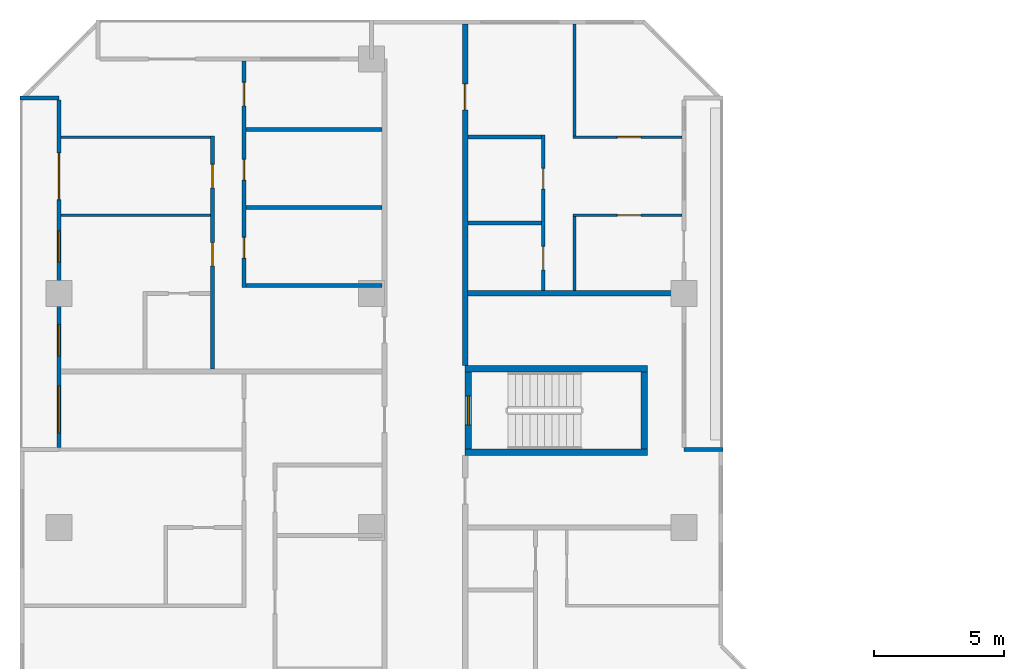
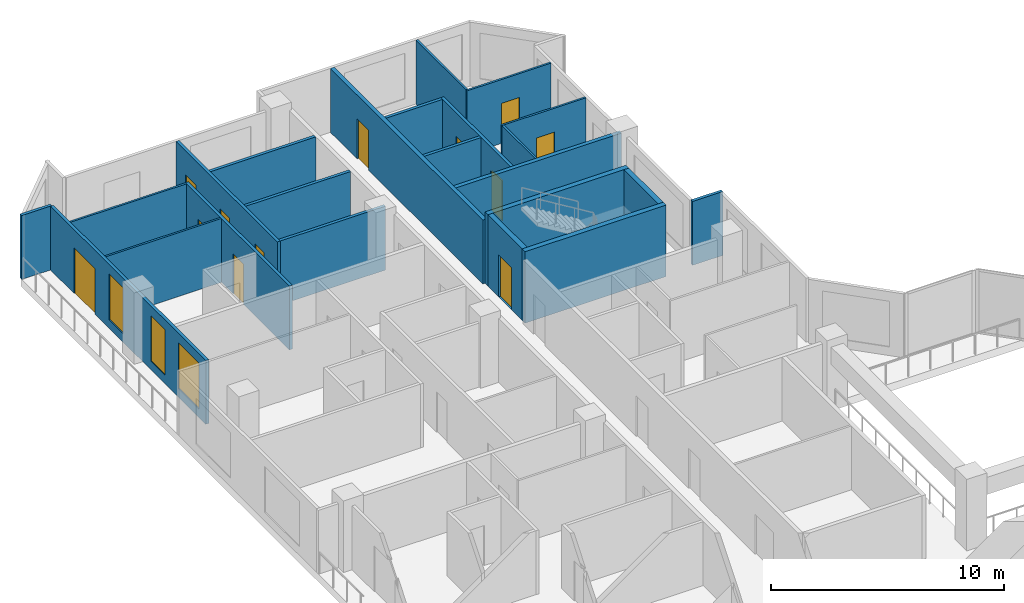
# One storey, part 10 of 15: 23 walls, 12 doors, 3 windows, 15 openings.
"""IFC4 building model written with IfcOpenShell, lengths in metres."""

from ifc_helpers import new_model, si_unit, direction, frame, frame_2d, origin, place, context, subcontext, project, spatial, rectangle, extrude, material, layer, layer_set, type_object, element, fill, save


model = new_model("IFC4")

# Units and contexts
model_context = context("Model", 3, precision=1e-05, world=origin(), true_north=direction((0.0, 1.0)))
body_context = subcontext(model_context, "Body", "Model", "MODEL_VIEW")
ifc_project = project(units=[si_unit("LENGTHUNIT", "METRE"), si_unit("AREAUNIT", "SQUARE_METRE"), si_unit("VOLUMEUNIT", "CUBIC_METRE"), si_unit("PLANEANGLEUNIT", "RADIAN"), si_unit("MASSUNIT", "GRAM", prefix="KILO")], contexts=[model_context])

# Site, building, storey
site_placement = place(None, origin())
site = spatial("IfcSite", under=ifc_project, at=site_placement, CompositionType="ELEMENT")
building_placement = place(site_placement, origin())
building = spatial("IfcBuilding", under=site, at=building_placement, Name="Chenar Terraces", CompositionType="ELEMENT")
storey_placement = place(building_placement, frame((0.0, 0.0, 95.64990234375)))
storey = spatial("IfcBuildingStorey", under=building, at=storey_placement, Name="L21", CompositionType="ELEMENT", Elevation=95.64990234375)

# Walls
ifc_material_1 = material(Name="Concrete C70/85", Category="concrete")
ifc_layer_1 = layer(ifc_material_1, 0.25)
ifc_layer_set_1 = layer_set([ifc_layer_1], Name="Concrete C70/85")
wall_type_1 = type_object("IfcWallType", Name="Core wall 250 Concrete C70/85", PredefinedType="SHEAR", material=ifc_layer_set_1)
for number, where, z_axis, x_axis, name in (
    (1, (15.60009765625, 47.89990234375, 0.0), (0.0, 0.0, 1.0), (1.0, 0.0, 0.0), "Core wall ST4_S L21"),
    (2, (15.60009765625, 51.10009765625, 0.0), (0.0, 0.0, 1.0), (1.0, 0.0, 0.0), "Core wall ST4_N L21"),
):
    element("IfcWall", number, at=place(storey_placement, frame(where, z_axis=z_axis, x_axis=x_axis)), inside=storey, type_object=wall_type_1, Name=name, PredefinedType="SHEAR", context=body_context, shape_type="SweptSolid", body=[
        extrude(rectangle(XDim=7.0, YDim=0.25, at=frame_2d((3.5, 0.0))), origin(), (0.0, 0.0, 1.0), 3.75),
    ])

# Wall, opening, door
wall_1_placement = place(storey_placement, frame((15.72509765625, 48.02490234375, 0.0), z_axis=(0.0, 0.0, 1.0), x_axis=(0.0, 1.0, 0.0)))
wall_1 = element("IfcWall", 3, at=wall_1_placement, inside=storey, type_object=wall_type_1, Name="Core wall ST4_W L21", PredefinedType="SHEAR", context=body_context, shape_type="SweptSolid", body=[
    extrude(rectangle(XDim=2.9501953125, YDim=0.25, at=frame_2d((1.47509765625, 0.0))), origin(), (0.0, 0.0, 1.0), 3.75),
])
opening_1_placement = place(wall_1_placement, frame((0.925048828125, 0.0, 0.0)))
opening_1 = element("IfcOpeningElement", 4, at=opening_1_placement, cuts=wall_1, Name="Opening DL21-C9", PredefinedType="OPENING", context=body_context, shape_type="SweptSolid", body=[
    extrude(rectangle(XDim=1.10009765625, YDim=2.199951171875, at=frame_2d((0.550048828125, 1.10009765625))), frame((0.0, 0.135009765625, 0.0), z_axis=(0.0, -1.0, 0.0), x_axis=(1.0, 0.0, 0.0)), (0.0, 0.0, 1.0), 0.27001953125),
])
ifc_material_2 = material(Name="Steel-framed fire-resisting door leaf", Category="steel")
door_type_1 = type_object("IfcDoorType", Name="Stair fire door FD60 1100 x 2200", OperationType="SINGLE_SWING_LEFT", PredefinedType="DOOR", material=ifc_material_2)
door_1_placement = place(opening_1_placement, frame((1.10009765625, 0.0, 0.0), z_axis=(0.0, 0.0, 1.0), x_axis=(-1.0, 0.0, 0.0)))
door_1 = element("IfcDoor", 5, at=door_1_placement, inside=storey, type_object=door_type_1, Name="Stair door DL21-C9", OperationType="SINGLE_SWING_RIGHT", OverallHeight=2.199951171875, OverallWidth=1.10009765625, PredefinedType="DOOR", context=body_context, shape_type="SweptSolid", body=[
    extrude(rectangle(XDim=1.10009765625, YDim=2.199951171875, at=frame_2d((0.550048828125, 1.10009765625))), frame((0.0, 0.02490234375, 0.0), z_axis=(0.0, -1.0, 0.0), x_axis=(1.0, 0.0, 0.0)), (0.0, 0.0, 1.0), 0.050048828125),
])
fill(opening_1, door_1)

# Wall
wall_2_placement = place(storey_placement, frame((22.47509765625, 48.02490234375, 0.0), z_axis=(0.0, 0.0, 1.0), x_axis=(0.0, 1.0, 0.0)))
element("IfcWall", 6, at=wall_2_placement, inside=storey, type_object=wall_type_1, Name="Core wall ST4_E L21", PredefinedType="SHEAR", context=body_context, shape_type="SweptSolid", body=[
    extrude(rectangle(XDim=2.9501953125, YDim=0.25, at=frame_2d((1.47509765625, 0.0))), origin(), (0.0, 0.0, 1.0), 3.75),
])

# Wall, opening, door
ifc_material_3 = material(Name="Gypsum board on steel studs with fire boards", Category="steel")
ifc_layer_2 = layer(ifc_material_3, 0.199951171875)
ifc_layer_set_2 = layer_set([ifc_layer_2], Name="Gypsum board on steel studs with fire boards")
wall_type_2 = type_object("IfcWallType", Name="Corridor wall 200", PredefinedType="PARTITIONING", material=ifc_layer_set_2)
wall_3_placement = place(storey_placement, frame((15.60009765625, 51.22509765625, 0.0), z_axis=(0.0, 0.0, 1.0), x_axis=(0.0, 1.0, 0.0)))
wall_3 = element("IfcWall", 7, at=wall_3_placement, inside=storey, type_object=wall_type_2, Name="Partition L21-039", PredefinedType="PARTITIONING", context=body_context, shape_type="SweptSolid", body=[
    extrude(rectangle(XDim=13.125, YDim=0.199951171875, at=frame_2d((6.5625, 0.0))), origin(), (0.0, 0.0, 1.0), 3.35009765625),
])
opening_2_placement = place(wall_3_placement, frame((9.824951171875, 0.0, 0.0)))
opening_2 = element("IfcOpeningElement", 8, at=opening_2_placement, cuts=wall_3, Name="Opening DL21-34", PredefinedType="OPENING", context=body_context, shape_type="SweptSolid", body=[
    extrude(rectangle(XDim=1.0, YDim=2.10009765625, at=frame_2d((0.5, 1.050048828125))), frame((0.0, 0.10986328125, 0.0), z_axis=(0.0, -1.0, 0.0), x_axis=(1.0, 0.0, 0.0)), (0.0, 0.0, 1.0), 0.219970703125),
])
ifc_material_4 = material(Name="Steel-framed fire-resisting door leaf", Category="steel")
door_type_2 = type_object("IfcDoorType", Name="Fire door FD30S 1000 x 2100", OperationType="SINGLE_SWING_LEFT", PredefinedType="DOOR", material=ifc_material_4)
door_2_placement = place(opening_2_placement, frame((1.0, 0.0, 0.0), z_axis=(0.0, 0.0, 1.0), x_axis=(-1.0, 0.0, 0.0)))
door_2 = element("IfcDoor", 9, at=door_2_placement, inside=storey, type_object=door_type_2, Name="Door DL21-34", OperationType="SINGLE_SWING_RIGHT", OverallHeight=2.10009765625, OverallWidth=1.0, PredefinedType="DOOR", context=body_context, shape_type="SweptSolid", body=[
    extrude(rectangle(XDim=1.0, YDim=2.10009765625, at=frame_2d((0.5, 1.050048828125))), frame((0.0, 0.02490234375, 0.0), z_axis=(0.0, -1.0, 0.0), x_axis=(1.0, 0.0, 0.0)), (0.0, 0.0, 1.0), 0.050048828125),
])
fill(opening_2, door_2)

# Wall, openings, windows, door
ifc_material_5 = material(Name="Aluminium framed glazing", Category="aluminium")
ifc_layer_3 = layer(ifc_material_5, 0.14990234375)
ifc_layer_set_3 = layer_set([ifc_layer_3], Name="Aluminium framed glazing")
wall_type_3 = type_object("IfcWallType", Name="Glazed loggia back wall 150", PredefinedType="SOLIDWALL", material=ifc_layer_set_3)
wall_4_placement = place(storey_placement, frame((0.0, 61.425048828125, 0.0), z_axis=(0.0, 0.0, 1.0), x_axis=(0.0, -1.0, 0.0)))
wall_4 = element("IfcWall", 10, at=wall_4_placement, inside=storey, type_object=wall_type_3, Name="Glazed loggia back wall", PredefinedType="SOLIDWALL", context=body_context, shape_type="SweptSolid", body=[
    extrude(rectangle(XDim=13.35009765625, YDim=0.14990234375, at=frame_2d((6.675048828125, 0.0))), origin(), (0.0, 0.0, 1.0), 3.35009765625),
])
opening_3_placement = place(wall_4_placement, frame((2.02490234375, 0.0, 0.0)))
opening_3 = element("IfcOpeningElement", 11, at=opening_3_placement, cuts=wall_4, Name="Opening DL21-G4", PredefinedType="OPENING", context=body_context, shape_type="SweptSolid", body=[
    extrude(rectangle(XDim=1.800048828125, YDim=2.39990234375, at=frame_2d((0.89990234375, 1.199951171875))), frame((0.0, 0.0849609375, 0.0), z_axis=(0.0, -1.0, 0.0), x_axis=(1.0, 0.0, 0.0)), (0.0, 0.0, 1.0), 0.169921875),
])
opening_4_placement = place(wall_4_placement, frame((5.02490234375, 0.0, 0.449951171875)))
opening_4 = element("IfcOpeningElement", 12, at=opening_4_placement, cuts=wall_4, Name="Opening W120x240", PredefinedType="OPENING", context=body_context, shape_type="SweptSolid", body=[
    extrude(rectangle(XDim=1.199951171875, YDim=2.39990234375, at=frame_2d((0.60009765625, 1.199951171875))), frame((0.0, 0.0849609375, 0.0), z_axis=(0.0, -1.0, 0.0), x_axis=(1.0, 0.0, 0.0)), (0.0, 0.0, 1.0), 0.169921875),
])
opening_5_placement = place(wall_4_placement, frame((8.625, 0.0, 0.449951171875)))
opening_5 = element("IfcOpeningElement", 13, at=opening_5_placement, cuts=wall_4, Name="Opening W120x240", PredefinedType="OPENING", context=body_context, shape_type="SweptSolid", body=[
    extrude(rectangle(XDim=1.199951171875, YDim=2.39990234375, at=frame_2d((0.60009765625, 1.199951171875))), frame((0.0, 0.0849609375, 0.0), z_axis=(0.0, -1.0, 0.0), x_axis=(1.0, 0.0, 0.0)), (0.0, 0.0, 1.0), 0.169921875),
])
opening_6_placement = place(wall_4_placement, frame((10.987548828125, 0.0, 0.449951171875)))
opening_6 = element("IfcOpeningElement", 14, at=opening_6_placement, cuts=wall_4, Name="Opening W180x240", PredefinedType="OPENING", context=body_context, shape_type="SweptSolid", body=[
    extrude(rectangle(XDim=1.800048828125, YDim=2.39990234375, at=frame_2d((0.89990234375, 1.199951171875))), frame((0.0, 0.0849609375, 0.0), z_axis=(0.0, -1.0, 0.0), x_axis=(1.0, 0.0, 0.0)), (0.0, 0.0, 1.0), 0.169921875),
])
ifc_material_6 = material(Name="Low emissivity double glazing, aluminium frame", Category="aluminium")
window_type_1 = type_object("IfcWindowType", Name="Fixed light 1200 x 2400", PartitioningType="SINGLE_PANEL", PredefinedType="WINDOW", material=ifc_material_6)
window_1_placement = place(opening_4_placement, origin())
window_1 = element("IfcWindow", 15, at=window_1_placement, inside=storey, type_object=window_type_1, Name="Window", OverallHeight=2.39990234375, OverallWidth=1.199951171875, PartitioningType="SINGLE_PANEL", PredefinedType="WINDOW", context=body_context, shape_type="SweptSolid", body=[
    extrude(rectangle(XDim=1.199951171875, YDim=2.39990234375, at=frame_2d((0.60009765625, 1.199951171875))), frame((0.0, 0.030029296875, 0.0), z_axis=(0.0, -1.0, 0.0), x_axis=(1.0, 0.0, 0.0)), (0.0, 0.0, 1.0), 0.06005859375),
])
fill(opening_4, window_1)
window_2_placement = place(opening_5_placement, origin())
window_2 = element("IfcWindow", 16, at=window_2_placement, inside=storey, type_object=window_type_1, Name="Window", OverallHeight=2.39990234375, OverallWidth=1.199951171875, PartitioningType="SINGLE_PANEL", PredefinedType="WINDOW", context=body_context, shape_type="SweptSolid", body=[
    extrude(rectangle(XDim=1.199951171875, YDim=2.39990234375, at=frame_2d((0.60009765625, 1.199951171875))), frame((0.0, 0.030029296875, 0.0), z_axis=(0.0, -1.0, 0.0), x_axis=(1.0, 0.0, 0.0)), (0.0, 0.0, 1.0), 0.06005859375),
])
fill(opening_5, window_2)
ifc_material_7 = material(Name="Low emissivity double glazing, aluminium frame", Category="aluminium")
window_type_2 = type_object("IfcWindowType", Name="Fixed light 1800 x 2400", PartitioningType="SINGLE_PANEL", PredefinedType="WINDOW", material=ifc_material_7)
window_3_placement = place(opening_6_placement, origin())
window_3 = element("IfcWindow", 17, at=window_3_placement, inside=storey, type_object=window_type_2, Name="Window", OverallHeight=2.39990234375, OverallWidth=1.800048828125, PartitioningType="SINGLE_PANEL", PredefinedType="WINDOW", context=body_context, shape_type="SweptSolid", body=[
    extrude(rectangle(XDim=1.800048828125, YDim=2.39990234375, at=frame_2d((0.89990234375, 1.199951171875))), frame((0.0, 0.030029296875, 0.0), z_axis=(0.0, -1.0, 0.0), x_axis=(1.0, 0.0, 0.0)), (0.0, 0.0, 1.0), 0.06005859375),
])
fill(opening_6, window_3)
ifc_material_8 = material(Name="Low emissivity double glazing, aluminium frame", Category="aluminium")
door_type_3 = type_object("IfcDoorType", Name="Loggia glazed double door 1800 x 2400", OperationType="DOUBLE_DOOR_SINGLE_SWING", PredefinedType="DOOR", material=ifc_material_8)
door_3_placement = place(opening_3_placement, frame((1.800048828125, 0.0, 0.0), z_axis=(0.0, 0.0, 1.0), x_axis=(-1.0, 0.0, 0.0)))
door_3 = element("IfcDoor", 18, at=door_3_placement, inside=storey, type_object=door_type_3, Name="Loggia glazed door", OperationType="DOUBLE_DOOR_SINGLE_SWING", OverallHeight=2.39990234375, OverallWidth=1.800048828125, PredefinedType="DOOR", context=body_context, shape_type="SweptSolid", body=[
    extrude(rectangle(XDim=1.800048828125, YDim=2.39990234375, at=frame_2d((0.89990234375, 1.199951171875))), frame((0.0, 0.02490234375, 0.0), z_axis=(0.0, -1.0, 0.0), x_axis=(1.0, 0.0, 0.0)), (0.0, 0.0, 1.0), 0.050048828125),
])
fill(opening_3, door_3)

# Walls
ifc_material_9 = material(Name="Gypsum board on steel studs", Category="steel")
ifc_layer_4 = layer(ifc_material_9, 0.10009765625)
ifc_layer_set_4 = layer_set([ifc_layer_4], Name="Gypsum board on steel studs")
wall_type_4 = type_object("IfcWallType", Name="Gypsum partition 100", PredefinedType="PARTITIONING", material=ifc_layer_set_4)
for number, where, z_axis, x_axis, name in (
    (19, (0.073974609375, 57.0, 0.0), (0.0, 0.0, 1.0), (1.0, 0.0, 0.0), "Partition L21-008"),
    (20, (0.073974609375, 60.0, 0.0), (0.0, 0.0, 1.0), (1.0, 0.0, 0.0), "Partition L21-009"),
):
    element("IfcWall", number, at=place(storey_placement, frame(where, z_axis=z_axis, x_axis=x_axis)), inside=storey, type_object=wall_type_4, Name=name, PredefinedType="PARTITIONING", context=body_context, shape_type="SweptSolid", body=[
        extrude(rectangle(XDim=5.7509765625, YDim=0.10009765625, at=frame_2d((2.87548828125, 0.0))), origin(), (0.0, 0.0, 1.0), 3.35009765625),
    ])

# Wall, opening, door
wall_5_placement = place(storey_placement, frame((19.75, 57.0, 0.0), z_axis=(0.0, 0.0, 1.0), x_axis=(1.0, 0.0, 0.0)))
wall_5 = element("IfcWall", 21, at=wall_5_placement, inside=storey, type_object=wall_type_4, Name="Partition L21-055", PredefinedType="PARTITIONING", context=body_context, shape_type="SweptSolid", body=[
    extrude(rectangle(XDim=4.176025390625, YDim=0.10009765625, at=frame_2d((2.087890625, 0.0))), origin(), (0.0, 0.0, 1.0), 3.35009765625),
])
opening_7_placement = place(wall_5_placement, frame((1.699951171875, 0.0, 0.0)))
opening_7 = element("IfcOpeningElement", 22, at=opening_7_placement, cuts=wall_5, Name="Opening DL21-31", PredefinedType="OPENING", context=body_context, shape_type="SweptSolid", body=[
    extrude(rectangle(XDim=0.89990234375, YDim=2.10009765625, at=frame_2d((0.449951171875, 1.050048828125))), frame((0.0, 0.06005859375, 0.0), z_axis=(0.0, -1.0, 0.0), x_axis=(1.0, 0.0, 0.0)), (0.0, 0.0, 1.0), 0.1201171875),
])
ifc_material_10 = material(Name="Veneered timber door leaf", Category="wood")
door_type_4 = type_object("IfcDoorType", Name="Door 900 x 2100", OperationType="SINGLE_SWING_LEFT", PredefinedType="DOOR", material=ifc_material_10)
door_4_placement = place(opening_7_placement, frame((0.89990234375, 0.0, 0.0), z_axis=(0.0, 0.0, 1.0), x_axis=(-1.0, 0.0, 0.0)))
door_4 = element("IfcDoor", 23, at=door_4_placement, inside=storey, type_object=door_type_4, Name="Door DL21-31", OperationType="SINGLE_SWING_RIGHT", OverallHeight=2.10009765625, OverallWidth=0.89990234375, PredefinedType="DOOR", context=body_context, shape_type="SweptSolid", body=[
    extrude(rectangle(XDim=0.89990234375, YDim=2.10009765625, at=frame_2d((0.449951171875, 1.050048828125))), frame((0.0, 0.02490234375, 0.0), z_axis=(0.0, -1.0, 0.0), x_axis=(1.0, 0.0, 0.0)), (0.0, 0.0, 1.0), 0.050048828125),
])
fill(opening_7, door_4)

wall_6_placement = place(storey_placement, frame((19.75, 60.0, 0.0), z_axis=(0.0, 0.0, 1.0), x_axis=(1.0, 0.0, 0.0)))
wall_6 = element("IfcWall", 24, at=wall_6_placement, inside=storey, type_object=wall_type_4, Name="Partition L21-056", PredefinedType="PARTITIONING", context=body_context, shape_type="SweptSolid", body=[
    extrude(rectangle(XDim=4.176025390625, YDim=0.10009765625, at=frame_2d((2.087890625, 0.0))), origin(), (0.0, 0.0, 1.0), 3.35009765625),
])
opening_8_placement = place(wall_6_placement, frame((1.699951171875, 0.0, 0.0)))
opening_8 = element("IfcOpeningElement", 25, at=opening_8_placement, cuts=wall_6, Name="Opening DL21-32", PredefinedType="OPENING", context=body_context, shape_type="SweptSolid", body=[
    extrude(rectangle(XDim=0.89990234375, YDim=2.10009765625, at=frame_2d((0.449951171875, 1.050048828125))), frame((0.0, 0.06005859375, 0.0), z_axis=(0.0, -1.0, 0.0), x_axis=(1.0, 0.0, 0.0)), (0.0, 0.0, 1.0), 0.1201171875),
])
door_5_placement = place(opening_8_placement, origin())
door_5 = element("IfcDoor", 26, at=door_5_placement, inside=storey, type_object=door_type_4, Name="Door DL21-32", OperationType="SINGLE_SWING_LEFT", OverallHeight=2.10009765625, OverallWidth=0.89990234375, PredefinedType="DOOR", context=body_context, shape_type="SweptSolid", body=[
    extrude(rectangle(XDim=0.89990234375, YDim=2.10009765625, at=frame_2d((0.449951171875, 1.050048828125))), frame((0.0, 0.02490234375, 0.0), z_axis=(0.0, -1.0, 0.0), x_axis=(1.0, 0.0, 0.0)), (0.0, 0.0, 1.0), 0.050048828125),
])
fill(opening_8, door_5)

# Walls
wall_7_placement = place(storey_placement, frame((19.800048828125, 54.10009765625, 0.0), z_axis=(0.0, 0.0, 1.0), x_axis=(0.0, 1.0, 0.0)))
element("IfcWall", 27, at=wall_7_placement, inside=storey, type_object=wall_type_4, Name="Partition L21-057", PredefinedType="PARTITIONING", context=body_context, shape_type="SweptSolid", body=[
    extrude(rectangle(XDim=2.849853515625, YDim=0.10009765625, at=frame_2d((1.4248046875, 0.0))), origin(), (0.0, 0.0, 1.0), 3.35009765625),
])
wall_8_placement = place(storey_placement, frame((19.800048828125, 60.050048828125, 0.0), z_axis=(0.0, 0.0, 1.0), x_axis=(0.0, 1.0, 0.0)))
element("IfcWall", 28, at=wall_8_placement, inside=storey, type_object=wall_type_4, Name="Partition L21-058", PredefinedType="PARTITIONING", context=body_context, shape_type="SweptSolid", body=[
    extrude(rectangle(XDim=4.300048828125, YDim=0.10009765625, at=frame_2d((2.14990234375, 0.0))), origin(), (0.0, 0.0, 1.0), 3.35009765625),
])
ifc_material_11 = material(Name="Terracotta cladding on insulated backing", Category="masonry")
ifc_layer_5 = layer(ifc_material_11, 0.14990234375)
ifc_layer_set_5 = layer_set([ifc_layer_5], Name="Terracotta cladding on insulated backing")
wall_type_5 = type_object("IfcWallType", Name="Loggia return wall 150", PredefinedType="SOLIDWALL", material=ifc_layer_set_5)
for number, where, z_axis, x_axis, name in (
    (29, (25.5, 48.0, 0.0), (0.0, 0.0, 1.0), (-1.0, 0.0, 0.0), "Loggia return wall"),
    (30, (-1.5, 61.5, 0.0), (0.0, 0.0, 1.0), (1.0, 0.0, 0.0), "Loggia return wall"),
):
    element("IfcWall", number, at=place(storey_placement, frame(where, z_axis=z_axis, x_axis=x_axis)), inside=storey, type_object=wall_type_5, Name=name, PredefinedType="SOLIDWALL", context=body_context, shape_type="SweptSolid", body=[
        extrude(rectangle(XDim=1.5, YDim=0.14990234375, at=frame_2d((0.75, 0.0))), origin(), (0.0, 0.0, 1.0), 3.35009765625),
    ])
ifc_material_12 = material(Name="Twin gypsum board on steel studs with mineral wool", Category="steel")
ifc_layer_6 = layer(ifc_material_12, 0.199951171875)
ifc_layer_set_6 = layer_set([ifc_layer_6], Name="Twin gypsum board on steel studs with mineral wool")
wall_type_6 = type_object("IfcWallType", Name="Unit demising wall 200", PredefinedType="PARTITIONING", material=ifc_layer_set_6)
wall_9_placement = place(storey_placement, frame((15.699951171875, 54.0, 0.0), z_axis=(0.0, 0.0, 1.0), x_axis=(1.0, 0.0, 0.0)))
element("IfcWall", 31, at=wall_9_placement, inside=storey, type_object=wall_type_6, Name="Partition L21-046", PredefinedType="PARTITIONING", context=body_context, shape_type="SweptSolid", body=[
    extrude(rectangle(XDim=8.22607421875, YDim=0.199951171875, at=frame_2d((4.113037109375, 0.0))), origin(), (0.0, 0.0, 1.0), 3.35009765625),
])

# Wall, openings, doors
ifc_material_13 = material(Name="Moisture-resistant gypsum board on steel studs", Category="steel")
ifc_layer_7 = layer(ifc_material_13, 0.14990234375)
ifc_layer_set_7 = layer_set([ifc_layer_7], Name="Moisture-resistant gypsum board on steel studs")
wall_type_7 = type_object("IfcWallType", Name="Wet-room partition 150", PredefinedType="PARTITIONING", material=ifc_layer_set_7)
wall_10_placement = place(storey_placement, frame((5.89990234375, 51.10009765625, 0.0), z_axis=(0.0, 0.0, 1.0), x_axis=(0.0, 1.0, 0.0)))
wall_10 = element("IfcWall", 32, at=wall_10_placement, inside=storey, type_object=wall_type_7, Name="Partition L21-018", PredefinedType="PARTITIONING", context=body_context, shape_type="SweptSolid", body=[
    extrude(rectangle(XDim=8.949951171875, YDim=0.14990234375, at=frame_2d((4.47509765625, 0.0))), origin(), (0.0, 0.0, 1.0), 3.35009765625),
])
opening_9_placement = place(wall_10_placement, frame((6.949951171875, 0.0, 0.0)))
opening_9 = element("IfcOpeningElement", 33, at=opening_9_placement, cuts=wall_10, Name="Opening DL21-43", PredefinedType="OPENING", context=body_context, shape_type="SweptSolid", body=[
    extrude(rectangle(XDim=0.89990234375, YDim=2.10009765625, at=frame_2d((0.449951171875, 1.050048828125))), frame((0.0, 0.0849609375, 0.0), z_axis=(0.0, -1.0, 0.0), x_axis=(1.0, 0.0, 0.0)), (0.0, 0.0, 1.0), 0.169921875),
])
opening_10_placement = place(wall_10_placement, frame((3.949951171875, 0.0, 0.0)))
opening_10 = element("IfcOpeningElement", 34, at=opening_10_placement, cuts=wall_10, Name="Opening DL21-44", PredefinedType="OPENING", context=body_context, shape_type="SweptSolid", body=[
    extrude(rectangle(XDim=0.89990234375, YDim=2.10009765625, at=frame_2d((0.449951171875, 1.050048828125))), frame((0.0, 0.0849609375, 0.0), z_axis=(0.0, -1.0, 0.0), x_axis=(1.0, 0.0, 0.0)), (0.0, 0.0, 1.0), 0.169921875),
])
door_6_placement = place(opening_9_placement, origin())
door_6 = element("IfcDoor", 35, at=door_6_placement, inside=storey, type_object=door_type_4, Name="Door DL21-43", OperationType="SINGLE_SWING_RIGHT", OverallHeight=2.10009765625, OverallWidth=0.89990234375, PredefinedType="DOOR", context=body_context, shape_type="SweptSolid", body=[
    extrude(rectangle(XDim=0.89990234375, YDim=2.10009765625, at=frame_2d((0.449951171875, 1.050048828125))), frame((0.0, 0.02490234375, 0.0), z_axis=(0.0, -1.0, 0.0), x_axis=(1.0, 0.0, 0.0)), (0.0, 0.0, 1.0), 0.050048828125),
])
fill(opening_9, door_6)
door_7_placement = place(opening_10_placement, origin())
door_7 = element("IfcDoor", 36, at=door_7_placement, inside=storey, type_object=door_type_4, Name="Door DL21-44", OperationType="SINGLE_SWING_RIGHT", OverallHeight=2.10009765625, OverallWidth=0.89990234375, PredefinedType="DOOR", context=body_context, shape_type="SweptSolid", body=[
    extrude(rectangle(XDim=0.89990234375, YDim=2.10009765625, at=frame_2d((0.449951171875, 1.050048828125))), frame((0.0, 0.02490234375, 0.0), z_axis=(0.0, -1.0, 0.0), x_axis=(1.0, 0.0, 0.0)), (0.0, 0.0, 1.0), 0.050048828125),
])
fill(opening_10, door_7)

wall_11_placement = place(storey_placement, frame((7.10009765625, 54.22509765625, 0.0), z_axis=(0.0, 0.0, 1.0), x_axis=(0.0, 1.0, 0.0)))
wall_11 = element("IfcWall", 37, at=wall_11_placement, inside=storey, type_object=wall_type_7, Name="Partition L21-023", PredefinedType="PARTITIONING", context=body_context, shape_type="SweptSolid", body=[
    extrude(rectangle(XDim=8.700927734375, YDim=0.14990234375, at=frame_2d((4.3505859375, 0.0))), origin(), (0.0, 0.0, 1.0), 3.35009765625),
])
opening_11_placement = place(wall_11_placement, frame((1.125, 0.0, 0.0)))
opening_11 = element("IfcOpeningElement", 38, at=opening_11_placement, cuts=wall_11, Name="Opening DL21-42", PredefinedType="OPENING", context=body_context, shape_type="SweptSolid", body=[
    extrude(rectangle(XDim=0.800048828125, YDim=2.10009765625, at=frame_2d((0.39990234375, 1.050048828125))), frame((0.0, 0.0849609375, 0.0), z_axis=(0.0, -1.0, 0.0), x_axis=(1.0, 0.0, 0.0)), (0.0, 0.0, 1.0), 0.169921875),
])
opening_12_placement = place(wall_11_placement, frame((6.97509765625, 0.0, 0.0)))
opening_12 = element("IfcOpeningElement", 39, at=opening_12_placement, cuts=wall_11, Name="Opening DL21-46", PredefinedType="OPENING", context=body_context, shape_type="SweptSolid", body=[
    extrude(rectangle(XDim=0.89990234375, YDim=2.10009765625, at=frame_2d((0.449951171875, 1.050048828125))), frame((0.0, 0.0849609375, 0.0), z_axis=(0.0, -1.0, 0.0), x_axis=(1.0, 0.0, 0.0)), (0.0, 0.0, 1.0), 0.169921875),
])
opening_13_placement = place(wall_11_placement, frame((4.125, 0.0, 0.0)))
opening_13 = element("IfcOpeningElement", 40, at=opening_13_placement, cuts=wall_11, Name="Opening DL21-47", PredefinedType="OPENING", context=body_context, shape_type="SweptSolid", body=[
    extrude(rectangle(XDim=0.800048828125, YDim=2.10009765625, at=frame_2d((0.39990234375, 1.050048828125))), frame((0.0, 0.0849609375, 0.0), z_axis=(0.0, -1.0, 0.0), x_axis=(1.0, 0.0, 0.0)), (0.0, 0.0, 1.0), 0.169921875),
])
ifc_material_14 = material(Name="Veneered timber door leaf", Category="wood")
door_type_5 = type_object("IfcDoorType", Name="Door 800 x 2100", OperationType="SINGLE_SWING_LEFT", PredefinedType="DOOR", material=ifc_material_14)
door_8_placement = place(opening_11_placement, frame((0.800048828125, 0.0, 0.0), z_axis=(0.0, 0.0, 1.0), x_axis=(-1.0, 0.0, 0.0)))
door_8 = element("IfcDoor", 41, at=door_8_placement, inside=storey, type_object=door_type_5, Name="Door DL21-42", OperationType="SINGLE_SWING_RIGHT", OverallHeight=2.10009765625, OverallWidth=0.800048828125, PredefinedType="DOOR", context=body_context, shape_type="SweptSolid", body=[
    extrude(rectangle(XDim=0.800048828125, YDim=2.10009765625, at=frame_2d((0.39990234375, 1.050048828125))), frame((0.0, 0.02490234375, 0.0), z_axis=(0.0, -1.0, 0.0), x_axis=(1.0, 0.0, 0.0)), (0.0, 0.0, 1.0), 0.050048828125),
])
fill(opening_11, door_8)
door_9_placement = place(opening_13_placement, frame((0.800048828125, 0.0, 0.0), z_axis=(0.0, 0.0, 1.0), x_axis=(-1.0, 0.0, 0.0)))
door_9 = element("IfcDoor", 42, at=door_9_placement, inside=storey, type_object=door_type_5, Name="Door DL21-47", OperationType="SINGLE_SWING_RIGHT", OverallHeight=2.10009765625, OverallWidth=0.800048828125, PredefinedType="DOOR", context=body_context, shape_type="SweptSolid", body=[
    extrude(rectangle(XDim=0.800048828125, YDim=2.10009765625, at=frame_2d((0.39990234375, 1.050048828125))), frame((0.0, 0.02490234375, 0.0), z_axis=(0.0, -1.0, 0.0), x_axis=(1.0, 0.0, 0.0)), (0.0, 0.0, 1.0), 0.050048828125),
])
fill(opening_13, door_9)
door_10_placement = place(opening_12_placement, frame((0.89990234375, 0.0, 0.0), z_axis=(0.0, 0.0, 1.0), x_axis=(-1.0, 0.0, 0.0)))
door_10 = element("IfcDoor", 43, at=door_10_placement, inside=storey, type_object=door_type_4, Name="Door DL21-46", OperationType="SINGLE_SWING_LEFT", OverallHeight=2.10009765625, OverallWidth=0.89990234375, PredefinedType="DOOR", context=body_context, shape_type="SweptSolid", body=[
    extrude(rectangle(XDim=0.89990234375, YDim=2.10009765625, at=frame_2d((0.449951171875, 1.050048828125))), frame((0.0, 0.02490234375, 0.0), z_axis=(0.0, -1.0, 0.0), x_axis=(1.0, 0.0, 0.0)), (0.0, 0.0, 1.0), 0.050048828125),
])
fill(opening_12, door_10)

# Walls
for number, where, z_axis, x_axis, name in (
    (44, (7.175048828125, 54.300048828125, 0.0), (0.0, 0.0, 1.0), (1.0, 0.0, 0.0), "Partition L21-026"),
    (45, (7.175048828125, 57.300048828125, 0.0), (0.0, 0.0, 1.0), (1.0, 0.0, 0.0), "Partition L21-027"),
    (46, (7.175048828125, 60.300048828125, 0.0), (0.0, 0.0, 1.0), (1.0, 0.0, 0.0), "Partition L21-028"),
):
    element("IfcWall", number, at=place(storey_placement, frame(where, z_axis=z_axis, x_axis=x_axis)), inside=storey, type_object=wall_type_7, Name=name, PredefinedType="PARTITIONING", context=body_context, shape_type="SweptSolid", body=[
        extrude(rectangle(XDim=5.224853515625, YDim=0.14990234375, at=frame_2d((2.6123046875, 0.0))), origin(), (0.0, 0.0, 1.0), 3.35009765625),
    ])
for number, where, z_axis, x_axis, name in (
    (47, (15.699951171875, 56.699951171875, 0.0), (0.0, 0.0, 1.0), (1.0, 0.0, 0.0), "Partition L21-047"),
    (48, (15.699951171875, 60.0, 0.0), (0.0, 0.0, 1.0), (1.0, 0.0, 0.0), "Partition L21-048"),
):
    element("IfcWall", number, at=place(storey_placement, frame(where, z_axis=z_axis, x_axis=x_axis)), inside=storey, type_object=wall_type_7, Name=name, PredefinedType="PARTITIONING", context=body_context, shape_type="SweptSolid", body=[
        extrude(rectangle(XDim=2.824951171875, YDim=0.14990234375, at=frame_2d((1.41259765625, 0.0))), origin(), (0.0, 0.0, 1.0), 3.35009765625),
    ])

# Wall, openings, doors
wall_12_placement = place(storey_placement, frame((18.60009765625, 54.10009765625, 0.0), z_axis=(0.0, 0.0, 1.0), x_axis=(0.0, 1.0, 0.0)))
wall_12 = element("IfcWall", 49, at=wall_12_placement, inside=storey, type_object=wall_type_7, Name="Partition L21-050", PredefinedType="PARTITIONING", context=body_context, shape_type="SweptSolid", body=[
    extrude(rectangle(XDim=5.974853515625, YDim=0.14990234375, at=frame_2d((2.9873046875, 0.0))), origin(), (0.0, 0.0, 1.0), 3.35009765625),
])
opening_14_placement = place(wall_12_placement, frame((3.89990234375, 0.0, 0.0)))
opening_14 = element("IfcOpeningElement", 50, at=opening_14_placement, cuts=wall_12, Name="Opening DL21-30", PredefinedType="OPENING", context=body_context, shape_type="SweptSolid", body=[
    extrude(rectangle(XDim=0.800048828125, YDim=2.10009765625, at=frame_2d((0.39990234375, 1.050048828125))), frame((0.0, 0.0849609375, 0.0), z_axis=(0.0, -1.0, 0.0), x_axis=(1.0, 0.0, 0.0)), (0.0, 0.0, 1.0), 0.169921875),
])
opening_15_placement = place(wall_12_placement, frame((0.800048828125, 0.0, 0.0)))
opening_15 = element("IfcOpeningElement", 51, at=opening_15_placement, cuts=wall_12, Name="Opening DL21-33", PredefinedType="OPENING", context=body_context, shape_type="SweptSolid", body=[
    extrude(rectangle(XDim=0.89990234375, YDim=2.10009765625, at=frame_2d((0.449951171875, 1.050048828125))), frame((0.0, 0.0849609375, 0.0), z_axis=(0.0, -1.0, 0.0), x_axis=(1.0, 0.0, 0.0)), (0.0, 0.0, 1.0), 0.169921875),
])
door_11_placement = place(opening_14_placement, origin())
door_11 = element("IfcDoor", 52, at=door_11_placement, inside=storey, type_object=door_type_5, Name="Door DL21-30", OperationType="SINGLE_SWING_RIGHT", OverallHeight=2.10009765625, OverallWidth=0.800048828125, PredefinedType="DOOR", context=body_context, shape_type="SweptSolid", body=[
    extrude(rectangle(XDim=0.800048828125, YDim=2.10009765625, at=frame_2d((0.39990234375, 1.050048828125))), frame((0.0, 0.02490234375, 0.0), z_axis=(0.0, -1.0, 0.0), x_axis=(1.0, 0.0, 0.0)), (0.0, 0.0, 1.0), 0.050048828125),
])
fill(opening_14, door_11)
door_12_placement = place(opening_15_placement, origin())
door_12 = element("IfcDoor", 53, at=door_12_placement, inside=storey, type_object=door_type_4, Name="Door DL21-33", OperationType="SINGLE_SWING_RIGHT", OverallHeight=2.10009765625, OverallWidth=0.89990234375, PredefinedType="DOOR", context=body_context, shape_type="SweptSolid", body=[
    extrude(rectangle(XDim=0.89990234375, YDim=2.10009765625, at=frame_2d((0.449951171875, 1.050048828125))), frame((0.0, 0.02490234375, 0.0), z_axis=(0.0, -1.0, 0.0), x_axis=(1.0, 0.0, 0.0)), (0.0, 0.0, 1.0), 0.050048828125),
])
fill(opening_15, door_12)

save(model, "model.ifc")
